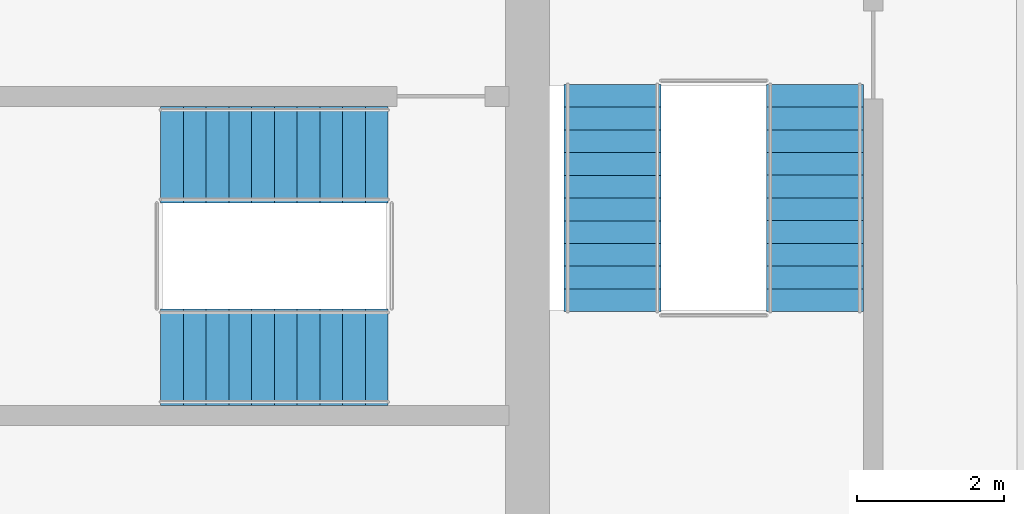
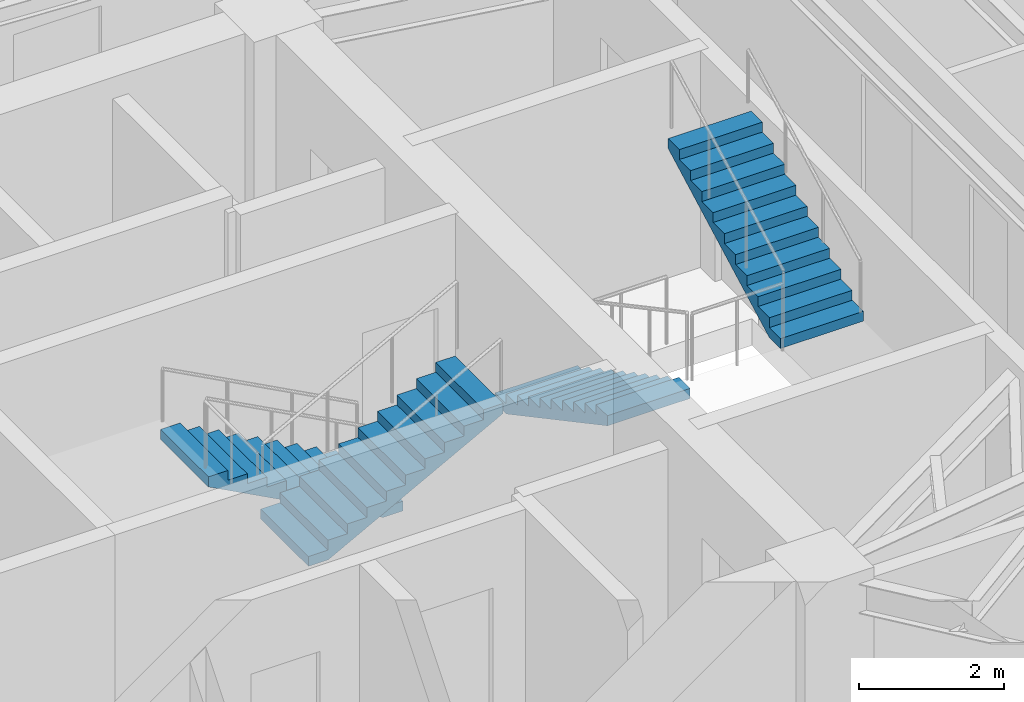
# One storey, part 21 of 23: 4 stair flights, 2 elements without a shape of their own.
"""IFC4 building model written with IfcOpenShell, lengths in metres."""

from ifc_helpers import new_model, si_unit, direction, frame, origin, place, context, subcontext, project, spatial, polyline, outline, extrude, material, type_object, element, aggregate, save


model = new_model("IFC4")

# Units and contexts
model_context = context("Model", 3, precision=1e-05, world=origin(), true_north=direction((0.0, 1.0)))
body_context = subcontext(model_context, "Body", "Model", "MODEL_VIEW")
ifc_project = project(units=[si_unit("LENGTHUNIT", "METRE"), si_unit("AREAUNIT", "SQUARE_METRE"), si_unit("VOLUMEUNIT", "CUBIC_METRE"), si_unit("PLANEANGLEUNIT", "RADIAN"), si_unit("MASSUNIT", "GRAM", prefix="KILO")], contexts=[model_context])

# Site, building, storey
site_placement = place(None, origin())
site = spatial("IfcSite", under=ifc_project, at=site_placement, CompositionType="ELEMENT")
building_placement = place(site_placement, origin())
building = spatial("IfcBuilding", under=site, at=building_placement, Name="Lazwardi Medical Tower", CompositionType="ELEMENT")
storey_placement = place(building_placement, frame((0.0, 0.0, 194.83203125)))
storey = spatial("IfcBuildingStorey", under=building, at=storey_placement, Name="L50", CompositionType="ELEMENT", Elevation=194.83203125)

# Stair, stair flights
ifc_material = material(Name="Concrete C45/55", Category="concrete")
stair_type = type_object("IfcStairType", Name="STR-WRD", PredefinedType="HALF_TURN_STAIR", material=ifc_material)
stair_1_placement = place(storey_placement, origin())
stair_1 = element("IfcStair", 1, at=stair_1_placement, inside=storey, type_object=stair_type, Name="L50 Protected Exit Stair ST2", PredefinedType="HALF_TURN_STAIR")
stair_flight_type = type_object("IfcStairFlightType", Name="FLT-WRD", PredefinedType="STRAIGHT", material=ifc_material)
stair_flight_1_placement = place(storey_placement, frame((43.800048828125, 29.43994140625, 0.0), z_axis=(0.0, 0.0, 1.0), x_axis=(-1.0, 0.0, 0.0)))
stair_flight_1 = element("IfcStairFlight", 2, at=stair_flight_1_placement, type_object=stair_flight_type, Name="ST2 flight 1", NumberOfRisers=11, NumberOfTreads=10, PredefinedType="STRAIGHT", RiserHeight=0.165818182, TreadLength=0.31, context=body_context, shape_type="SweptSolid", body=[
    extrude(outline(polyline([(0.0, 0.0), (0.0, 0.165771484375), (0.31005859375, 0.165771484375), (0.31005859375, 0.33154296875), (0.6201171875, 0.33154296875), (0.6201171875, 0.49755859375), (0.929931640625, 0.49755859375), (0.929931640625, 0.663330078125), (1.239990234375, 0.663330078125), (1.239990234375, 0.8291015625), (1.550048828125, 0.8291015625), (1.550048828125, 0.994873046875), (1.860107421875, 0.994873046875), (1.860107421875, 1.16064453125), (2.169921875, 1.16064453125), (2.169921875, 1.32666015625), (2.47998046875, 1.32666015625), (2.47998046875, 1.492431640625), (2.7900390625, 1.492431640625), (2.7900390625, 1.658203125), (3.10009765625, 1.658203125), (3.10009765625, 1.823974609375), (3.10009765625, 1.48828125), (0.31787109375, 0.0), (0.0, 0.0)])), frame((0.0, 0.66015625, 0.0), z_axis=(0.0, -1.0, 0.0), x_axis=(1.0, 0.0, 0.0)), (0.0, 0.0, 1.0), 1.320068359375),
])
stair_flight_2_placement = place(storey_placement, frame((40.699951171875, 26.679931640625, 1.823974609375), z_axis=(0.0, 0.0, 1.0), x_axis=(1.0, 0.0, 0.0)))
stair_flight_2 = element("IfcStairFlight", 3, at=stair_flight_2_placement, type_object=stair_flight_type, Name="ST2 flight 2", NumberOfRisers=11, NumberOfTreads=10, PredefinedType="STRAIGHT", RiserHeight=0.165818182, TreadLength=0.31, context=body_context, shape_type="SweptSolid", body=[
    extrude(outline(polyline([(0.0, 0.0), (0.0, 0.165771484375), (0.31005859375, 0.165771484375), (0.31005859375, 0.33154296875), (0.6201171875, 0.33154296875), (0.6201171875, 0.49755859375), (0.929931640625, 0.49755859375), (0.929931640625, 0.663330078125), (1.239990234375, 0.663330078125), (1.239990234375, 0.8291015625), (1.550048828125, 0.8291015625), (1.550048828125, 0.994873046875), (1.860107421875, 0.994873046875), (1.860107421875, 1.16064453125), (2.169921875, 1.16064453125), (2.169921875, 1.32666015625), (2.47998046875, 1.32666015625), (2.47998046875, 1.492431640625), (2.7900390625, 1.492431640625), (2.7900390625, 1.658203125), (3.10009765625, 1.658203125), (3.10009765625, 1.823974609375), (3.10009765625, 1.48828125), (0.31787109375, 0.0), (0.0, 0.0)])), frame((0.0, 0.66015625, 0.0), z_axis=(0.0, -1.0, 0.0), x_axis=(1.0, 0.0, 0.0)), (0.0, 0.0, 1.0), 1.320068359375),
])
aggregate(stair_1, [stair_flight_1, stair_flight_2])

stair_2_placement = place(storey_placement, origin())
stair_2 = element("IfcStair", 4, at=stair_2_placement, inside=storey, type_object=stair_type, Name="L50 Protected Exit Stair ST3", PredefinedType="HALF_TURN_STAIR")
stair_flight_3_placement = place(storey_placement, frame((46.860107421875, 30.39990234375, 0.0), z_axis=(0.0, 0.0, 1.0), x_axis=(0.0, -1.0, 0.0)))
stair_flight_3 = element("IfcStairFlight", 5, at=stair_flight_3_placement, type_object=stair_flight_type, Name="ST3 flight 1", NumberOfRisers=11, NumberOfTreads=10, PredefinedType="STRAIGHT", RiserHeight=0.165818182, TreadLength=0.31, context=body_context, shape_type="SweptSolid", body=[
    extrude(outline(polyline([(0.0, 0.0), (0.0, 0.165771484375), (0.31005859375, 0.165771484375), (0.31005859375, 0.33154296875), (0.6201171875, 0.33154296875), (0.6201171875, 0.49755859375), (0.929931640625, 0.49755859375), (0.929931640625, 0.663330078125), (1.239990234375, 0.663330078125), (1.239990234375, 0.8291015625), (1.550048828125, 0.8291015625), (1.550048828125, 0.994873046875), (1.860107421875, 0.994873046875), (1.860107421875, 1.16064453125), (2.169921875, 1.16064453125), (2.169921875, 1.32666015625), (2.47998046875, 1.32666015625), (2.47998046875, 1.492431640625), (2.7900390625, 1.492431640625), (2.7900390625, 1.658203125), (3.10009765625, 1.658203125), (3.10009765625, 1.823974609375), (3.10009765625, 1.48828125), (0.31787109375, 0.0), (0.0, 0.0)])), frame((0.0, 0.66015625, 0.0), z_axis=(0.0, -1.0, 0.0), x_axis=(1.0, 0.0, 0.0)), (0.0, 0.0, 1.0), 1.320068359375),
])
stair_flight_4_placement = place(storey_placement, frame((49.6201171875, 27.300048828125, 1.823974609375), z_axis=(0.0, 0.0, 1.0), x_axis=(0.0, 1.0, 0.0)))
stair_flight_4 = element("IfcStairFlight", 6, at=stair_flight_4_placement, type_object=stair_flight_type, Name="ST3 flight 2", NumberOfRisers=11, NumberOfTreads=10, PredefinedType="STRAIGHT", RiserHeight=0.165818182, TreadLength=0.31, context=body_context, shape_type="SweptSolid", body=[
    extrude(outline(polyline([(0.0, 0.0), (0.0, 0.165771484375), (0.31005859375, 0.165771484375), (0.31005859375, 0.33154296875), (0.6201171875, 0.33154296875), (0.6201171875, 0.49755859375), (0.929931640625, 0.49755859375), (0.929931640625, 0.663330078125), (1.239990234375, 0.663330078125), (1.239990234375, 0.8291015625), (1.550048828125, 0.8291015625), (1.550048828125, 0.994873046875), (1.860107421875, 0.994873046875), (1.860107421875, 1.16064453125), (2.169921875, 1.16064453125), (2.169921875, 1.32666015625), (2.47998046875, 1.32666015625), (2.47998046875, 1.492431640625), (2.7900390625, 1.492431640625), (2.7900390625, 1.658203125), (3.10009765625, 1.658203125), (3.10009765625, 1.823974609375), (3.10009765625, 1.48828125), (0.31787109375, 0.0), (0.0, 0.0)])), frame((0.0, 0.66015625, 0.0), z_axis=(0.0, -1.0, 0.0), x_axis=(1.0, 0.0, 0.0)), (0.0, 0.0, 1.0), 1.320068359375),
])
aggregate(stair_2, [stair_flight_3, stair_flight_4])

save(model, "model.ifc")
